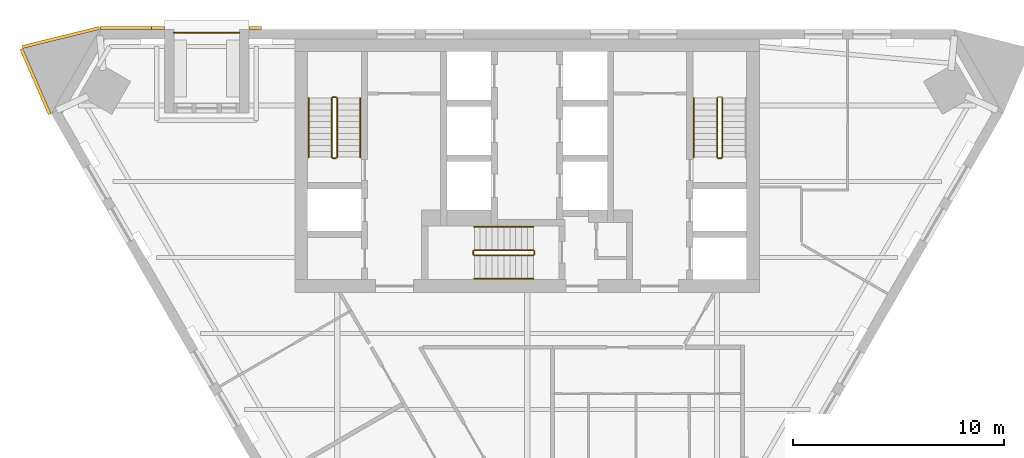
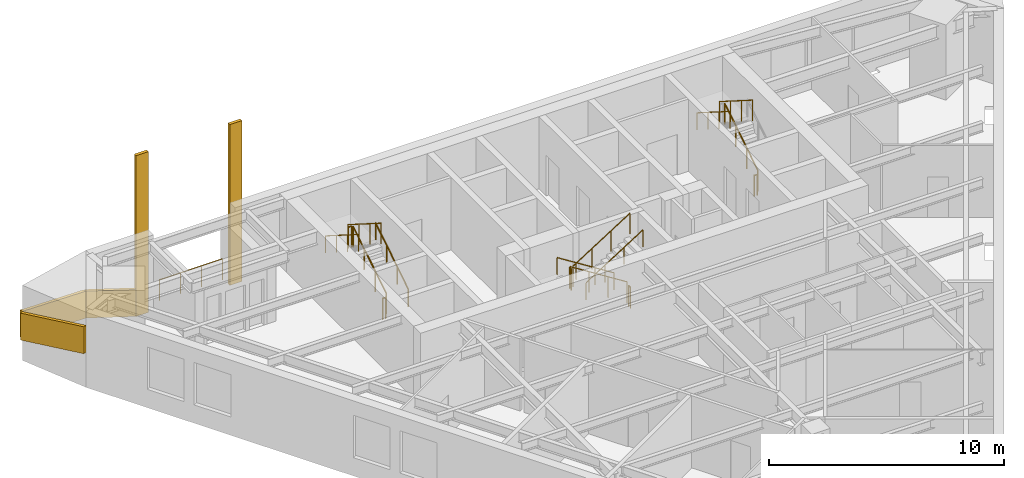
# One storey, part 7 of 8: 17 railings, 5 coverings.
"""IFC4 building model written with IfcOpenShell, lengths in metres."""

from ifc_helpers import new_model, si_unit, direction, frame, origin, origin_2d, place, context, subcontext, project, spatial, polyline, circle, outline, extrude, material, layer, layer_set, type_object, element, save


model = new_model("IFC4")

# Units and contexts
model_context = context("Model", 3, precision=1e-05, world=origin(), true_north=direction((0.0, 1.0)))
body_context = subcontext(model_context, "Body", "Model", "MODEL_VIEW")
ifc_project = project(units=[si_unit("LENGTHUNIT", "METRE"), si_unit("AREAUNIT", "SQUARE_METRE"), si_unit("VOLUMEUNIT", "CUBIC_METRE"), si_unit("PLANEANGLEUNIT", "RADIAN"), si_unit("MASSUNIT", "GRAM", prefix="KILO")], contexts=[model_context])

# Site, building, storey
site_placement = place(None, origin())
site = spatial("IfcSite", under=ifc_project, at=site_placement, CompositionType="ELEMENT")
building_placement = place(site_placement, origin())
building = spatial("IfcBuilding", under=site, at=building_placement, Name="Aloe Facet Convention Tower", CompositionType="ELEMENT")
storey_placement = place(building_placement, frame((0.0, 0.0, 140.300048828125)))
storey = spatial("IfcBuildingStorey", under=building, at=storey_placement, Name="L35", CompositionType="ELEMENT", Elevation=140.300048828125)

# Railings
ifc_material_1 = material(Name="Steel S355 balustrade", Category="steel")
railing_type_1 = type_object("IfcRailingType", Name="CR-RL-GUARD", PredefinedType="GUARDRAIL", material=ifc_material_1)
railing_1_placement = place(storey_placement, frame((71.0, 128.949951171875, 0.17724609375)))
element("IfcRailing", 1, at=railing_1_placement, inside=storey, type_object=railing_type_1, Name="L35 ST1 stair guard 1", PredefinedType="GUARDRAIL", context=body_context, shape_type="SweptSolid", body=[
    extrude(circle(Radius=0.02392578125, at=origin_2d()), frame((0.0, 0.0, 1.076171875), z_axis=(0.0, 0.844908973607, 0.534910110503), x_axis=(-1.0, 0.0, 0.0)), (0.0, 0.0, 1.0), 3.31396484375),
    extrude(circle(Radius=0.02099609375, at=origin_2d()), origin(), (0.0, 0.0, 1.0), 1.052001953125),
    extrude(circle(Radius=0.02099609375, at=origin_2d()), frame((0.0, 0.933349609375, 0.5908203125)), (0.0, 0.0, 1.0), 1.052001953125),
    extrude(circle(Radius=0.02099609375, at=origin_2d()), frame((0.0, 1.86669921875, 1.181884765625)), (0.0, 0.0, 1.0), 1.052001953125),
    extrude(circle(Radius=0.02099609375, at=origin_2d()), frame((0.0, 2.800048828125, 1.772705078125)), (0.0, 0.0, 1.0), 1.052001953125),
])
railing_2_placement = place(storey_placement, frame((70.949951171875, 131.800048828125, 1.949951171875)))
element("IfcRailing", 2, at=railing_2_placement, inside=storey, type_object=railing_type_1, Name="L35 ST1 stair guard 2", PredefinedType="GUARDRAIL", context=body_context, shape_type="SweptSolid", body=[
    extrude(circle(Radius=0.02392578125, at=origin_2d()), frame((0.0, 0.0, 1.076171875), z_axis=(-1.0, 0.0, 0.0), x_axis=(0.0, -1.0, 0.0)), (0.0, 0.0, 1.0), 0.14990234375),
    extrude(circle(Radius=0.02099609375, at=origin_2d()), origin(), (0.0, 0.0, 1.0), 1.052001953125),
    extrude(circle(Radius=0.02099609375, at=origin_2d()), frame((-0.14990234375, 0.0, 0.0)), (0.0, 0.0, 1.0), 1.052001953125),
])
railing_3_placement = place(storey_placement, frame((70.75, 131.75, 2.127197265625)))
element("IfcRailing", 3, at=railing_3_placement, inside=storey, type_object=railing_type_1, Name="L35 ST1 stair guard 3", PredefinedType="GUARDRAIL", context=body_context, shape_type="SweptSolid", body=[
    extrude(circle(Radius=0.02392578125, at=origin_2d()), frame((0.0, 0.0, 1.076171875), z_axis=(0.0, -0.844908973607, 0.534910110503), x_axis=(1.0, 0.0, 0.0)), (0.0, 0.0, 1.0), 3.31396484375),
    extrude(circle(Radius=0.02099609375, at=origin_2d()), origin(), (0.0, 0.0, 1.0), 1.052001953125),
    extrude(circle(Radius=0.02099609375, at=origin_2d()), frame((0.0, -0.933349609375, 0.5908203125)), (0.0, 0.0, 1.0), 1.052001953125),
    extrude(circle(Radius=0.02099609375, at=origin_2d()), frame((0.0, -1.86669921875, 1.181884765625)), (0.0, 0.0, 1.0), 1.052001953125),
    extrude(circle(Radius=0.02099609375, at=origin_2d()), frame((0.0, -2.800048828125, 1.772705078125)), (0.0, 0.0, 1.0), 1.052001953125),
])
railing_4_placement = place(storey_placement, frame((70.949951171875, 128.89990234375, 0.0)))
element("IfcRailing", 4, at=railing_4_placement, inside=storey, type_object=railing_type_1, Name="L35 ST1 stair guard 4", PredefinedType="GUARDRAIL", context=body_context, shape_type="SweptSolid", body=[
    extrude(circle(Radius=0.02392578125, at=origin_2d()), frame((0.0, 0.0, 1.076171875), z_axis=(-1.0, 0.0, 0.0), x_axis=(0.0, -1.0, 0.0)), (0.0, 0.0, 1.0), 0.14990234375),
    extrude(circle(Radius=0.02099609375, at=origin_2d()), origin(), (0.0, 0.0, 1.0), 1.052001953125),
    extrude(circle(Radius=0.02099609375, at=origin_2d()), frame((-0.14990234375, 0.0, 0.0)), (0.0, 0.0, 1.0), 1.052001953125),
])
railing_5_placement = place(storey_placement, frame((89.25, 128.949951171875, 0.17724609375)))
element("IfcRailing", 5, at=railing_5_placement, inside=storey, type_object=railing_type_1, Name="L35 ST2 stair guard 1", PredefinedType="GUARDRAIL", context=body_context, shape_type="SweptSolid", body=[
    extrude(circle(Radius=0.02392578125, at=origin_2d()), frame((0.0, 0.0, 1.076171875), z_axis=(0.0, 0.844908973607, 0.534910110503), x_axis=(-1.0, 0.0, 0.0)), (0.0, 0.0, 1.0), 3.31396484375),
    extrude(circle(Radius=0.02099609375, at=origin_2d()), origin(), (0.0, 0.0, 1.0), 1.052001953125),
    extrude(circle(Radius=0.02099609375, at=origin_2d()), frame((0.0, 0.933349609375, 0.5908203125)), (0.0, 0.0, 1.0), 1.052001953125),
    extrude(circle(Radius=0.02099609375, at=origin_2d()), frame((0.0, 1.86669921875, 1.181884765625)), (0.0, 0.0, 1.0), 1.052001953125),
    extrude(circle(Radius=0.02099609375, at=origin_2d()), frame((0.0, 2.800048828125, 1.772705078125)), (0.0, 0.0, 1.0), 1.052001953125),
])
railing_6_placement = place(storey_placement, frame((89.0, 131.75, 2.127197265625)))
element("IfcRailing", 6, at=railing_6_placement, inside=storey, type_object=railing_type_1, Name="L35 ST2 stair guard 3", PredefinedType="GUARDRAIL", context=body_context, shape_type="SweptSolid", body=[
    extrude(circle(Radius=0.02392578125, at=origin_2d()), frame((0.0, 0.0, 1.076171875), z_axis=(0.0, -0.844908973607, 0.534910110503), x_axis=(1.0, 0.0, 0.0)), (0.0, 0.0, 1.0), 3.31396484375),
    extrude(circle(Radius=0.02099609375, at=origin_2d()), origin(), (0.0, 0.0, 1.0), 1.052001953125),
    extrude(circle(Radius=0.02099609375, at=origin_2d()), frame((0.0, -0.933349609375, 0.5908203125)), (0.0, 0.0, 1.0), 1.052001953125),
    extrude(circle(Radius=0.02099609375, at=origin_2d()), frame((0.0, -1.86669921875, 1.181884765625)), (0.0, 0.0, 1.0), 1.052001953125),
    extrude(circle(Radius=0.02099609375, at=origin_2d()), frame((0.0, -2.800048828125, 1.772705078125)), (0.0, 0.0, 1.0), 1.052001953125),
])
railing_7_placement = place(storey_placement, frame((89.199951171875, 128.89990234375, 0.0)))
element("IfcRailing", 7, at=railing_7_placement, inside=storey, type_object=railing_type_1, Name="L35 ST2 stair guard 4", PredefinedType="GUARDRAIL", context=body_context, shape_type="SweptSolid", body=[
    extrude(circle(Radius=0.02392578125, at=origin_2d()), frame((0.0, 0.0, 1.076171875), z_axis=(-1.0, 0.0, 0.0), x_axis=(0.0, -1.0, 0.0)), (0.0, 0.0, 1.0), 0.14990234375),
    extrude(circle(Radius=0.02099609375, at=origin_2d()), origin(), (0.0, 0.0, 1.0), 1.052001953125),
    extrude(circle(Radius=0.02099609375, at=origin_2d()), frame((-0.14990234375, 0.0, 0.0)), (0.0, 0.0, 1.0), 1.052001953125),
])
railing_8_placement = place(storey_placement, frame((80.300048828125, 124.550048828125, 0.17724609375)))
element("IfcRailing", 8, at=railing_8_placement, inside=storey, type_object=railing_type_1, Name="L35 ST3 stair guard 1", PredefinedType="GUARDRAIL", context=body_context, shape_type="SweptSolid", body=[
    extrude(circle(Radius=0.02392578125, at=origin_2d()), frame((0.0, 0.0, 1.076171875), z_axis=(-0.844908973607, 0.0, 0.534910110503), x_axis=(0.0, -1.0, 0.0)), (0.0, 0.0, 1.0), 3.31396484375),
    extrude(circle(Radius=0.02099609375, at=origin_2d()), origin(), (0.0, 0.0, 1.0), 1.052001953125),
    extrude(circle(Radius=0.02099609375, at=origin_2d()), frame((-0.933349609375, 0.0, 0.5908203125)), (0.0, 0.0, 1.0), 1.052001953125),
    extrude(circle(Radius=0.02099609375, at=origin_2d()), frame((-1.86669921875, 0.0, 1.181884765625)), (0.0, 0.0, 1.0), 1.052001953125),
    extrude(circle(Radius=0.02099609375, at=origin_2d()), frame((-2.800048828125, 0.0, 1.772705078125)), (0.0, 0.0, 1.0), 1.052001953125),
])
railing_9_placement = place(storey_placement, frame((77.449951171875, 124.5, 1.949951171875)))
element("IfcRailing", 9, at=railing_9_placement, inside=storey, type_object=railing_type_1, Name="L35 ST3 stair guard 2", PredefinedType="GUARDRAIL", context=body_context, shape_type="SweptSolid", body=[
    extrude(circle(Radius=0.02392578125, at=origin_2d()), frame((0.0, 0.0, 1.076171875), z_axis=(0.0, -1.0, 0.0), x_axis=(1.0, 0.0, 0.0)), (0.0, 0.0, 1.0), 0.14990234375),
    extrude(circle(Radius=0.02099609375, at=origin_2d()), origin(), (0.0, 0.0, 1.0), 1.052001953125),
    extrude(circle(Radius=0.02099609375, at=origin_2d()), frame((0.0, -0.14990234375, 0.0)), (0.0, 0.0, 1.0), 1.052001953125),
])
railing_10_placement = place(storey_placement, frame((77.5, 124.300048828125, 2.127197265625)))
element("IfcRailing", 10, at=railing_10_placement, inside=storey, type_object=railing_type_1, Name="L35 ST3 stair guard 3", PredefinedType="GUARDRAIL", context=body_context, shape_type="SweptSolid", body=[
    extrude(circle(Radius=0.02392578125, at=origin_2d()), frame((0.0, 0.0, 1.076171875), z_axis=(0.844908973607, 0.0, 0.534910110503), x_axis=(0.0, 1.0, 0.0)), (0.0, 0.0, 1.0), 3.31396484375),
    extrude(circle(Radius=0.02099609375, at=origin_2d()), origin(), (0.0, 0.0, 1.0), 1.052001953125),
    extrude(circle(Radius=0.02099609375, at=origin_2d()), frame((0.933349609375, 0.0, 0.5908203125)), (0.0, 0.0, 1.0), 1.052001953125),
    extrude(circle(Radius=0.02099609375, at=origin_2d()), frame((1.86669921875, 0.0, 1.181884765625)), (0.0, 0.0, 1.0), 1.052001953125),
    extrude(circle(Radius=0.02099609375, at=origin_2d()), frame((2.800048828125, 0.0, 1.772705078125)), (0.0, 0.0, 1.0), 1.052001953125),
])
railing_11_placement = place(storey_placement, frame((80.35009765625, 124.5, 0.0)))
element("IfcRailing", 11, at=railing_11_placement, inside=storey, type_object=railing_type_1, Name="L35 ST3 stair guard 4", PredefinedType="GUARDRAIL", context=body_context, shape_type="SweptSolid", body=[
    extrude(circle(Radius=0.02392578125, at=origin_2d()), frame((0.0, 0.0, 1.076171875), z_axis=(0.0, -1.0, 0.0), x_axis=(1.0, 0.0, 0.0)), (0.0, 0.0, 1.0), 0.14990234375),
    extrude(circle(Radius=0.02099609375, at=origin_2d()), origin(), (0.0, 0.0, 1.0), 1.052001953125),
    extrude(circle(Radius=0.02099609375, at=origin_2d()), frame((0.0, -0.14990234375, 0.0)), (0.0, 0.0, 1.0), 1.052001953125),
])
ifc_material_2 = material(Name="Steel S355 handrail", Category="steel")
railing_type_2 = type_object("IfcRailingType", Name="CR-RL-HAND", PredefinedType="HANDRAIL", material=ifc_material_2)
railing_12_placement = place(storey_placement, frame((72.10009765625, 128.949951171875, 0.17724609375)))
element("IfcRailing", 12, at=railing_12_placement, inside=storey, type_object=railing_type_2, Name="L35 ST1 stair handrail 1", PredefinedType="HANDRAIL", context=body_context, shape_type="SweptSolid", body=[
    extrude(circle(Radius=0.02392578125, at=origin_2d()), frame((0.0, 0.0, 0.8759765625), z_axis=(0.0, 0.844908973607, 0.534910110503), x_axis=(-1.0, 0.0, 0.0)), (0.0, 0.0, 1.0), 3.31396484375),
    extrude(circle(Radius=0.02099609375, at=origin_2d()), origin(), (0.0, 0.0, 1.0), 0.851806640625),
    extrude(circle(Radius=0.02099609375, at=origin_2d()), frame((0.0, 0.933349609375, 0.5908203125)), (0.0, 0.0, 1.0), 0.851806640625),
    extrude(circle(Radius=0.02099609375, at=origin_2d()), frame((0.0, 1.86669921875, 1.181884765625)), (0.0, 0.0, 1.0), 0.851806640625),
    extrude(circle(Radius=0.02099609375, at=origin_2d()), frame((0.0, 2.800048828125, 1.772705078125)), (0.0, 0.0, 1.0), 0.851806640625),
])
for number, where, name in (
    (13, (69.64990234375, 131.75, 2.127197265625), "L35 ST1 stair handrail 2"),
    (14, (87.89990234375, 131.75, 2.127197265625), "L35 ST2 stair handrail 2"),
):
    element("IfcRailing", number, at=place(storey_placement, frame(where)), inside=storey, type_object=railing_type_2, Name=name, PredefinedType="HANDRAIL", context=body_context, shape_type="SweptSolid", body=[
        extrude(circle(Radius=0.02392578125, at=origin_2d()), frame((0.0, 0.0, 0.8759765625), z_axis=(0.0, -0.844908973607, 0.534910110503), x_axis=(1.0, 0.0, 0.0)), (0.0, 0.0, 1.0), 3.31396484375),
        extrude(circle(Radius=0.02099609375, at=origin_2d()), origin(), (0.0, 0.0, 1.0), 0.851806640625),
        extrude(circle(Radius=0.02099609375, at=origin_2d()), frame((0.0, -0.933349609375, 0.5908203125)), (0.0, 0.0, 1.0), 0.851806640625),
        extrude(circle(Radius=0.02099609375, at=origin_2d()), frame((0.0, -1.86669921875, 1.181884765625)), (0.0, 0.0, 1.0), 0.851806640625),
        extrude(circle(Radius=0.02099609375, at=origin_2d()), frame((0.0, -2.800048828125, 1.772705078125)), (0.0, 0.0, 1.0), 0.851806640625),
    ])
railing_13_placement = place(storey_placement, frame((80.300048828125, 125.64990234375, 0.17724609375)))
element("IfcRailing", 15, at=railing_13_placement, inside=storey, type_object=railing_type_2, Name="L35 ST3 stair handrail 1", PredefinedType="HANDRAIL", context=body_context, shape_type="SweptSolid", body=[
    extrude(circle(Radius=0.02392578125, at=origin_2d()), frame((0.0, 0.0, 0.8759765625), z_axis=(-0.844908973607, 0.0, 0.534910110503), x_axis=(0.0, -1.0, 0.0)), (0.0, 0.0, 1.0), 3.31396484375),
    extrude(circle(Radius=0.02099609375, at=origin_2d()), origin(), (0.0, 0.0, 1.0), 0.851806640625),
    extrude(circle(Radius=0.02099609375, at=origin_2d()), frame((-0.933349609375, 0.0, 0.5908203125)), (0.0, 0.0, 1.0), 0.851806640625),
    extrude(circle(Radius=0.02099609375, at=origin_2d()), frame((-1.86669921875, 0.0, 1.181884765625)), (0.0, 0.0, 1.0), 0.851806640625),
    extrude(circle(Radius=0.02099609375, at=origin_2d()), frame((-2.800048828125, 0.0, 1.772705078125)), (0.0, 0.0, 1.0), 0.851806640625),
])
railing_14_placement = place(storey_placement, frame((77.5, 123.199951171875, 2.127197265625)))
element("IfcRailing", 16, at=railing_14_placement, inside=storey, type_object=railing_type_2, Name="L35 ST3 stair handrail 2", PredefinedType="HANDRAIL", context=body_context, shape_type="SweptSolid", body=[
    extrude(circle(Radius=0.02392578125, at=origin_2d()), frame((0.0, 0.0, 0.8759765625), z_axis=(0.844908973607, 0.0, 0.534910110503), x_axis=(0.0, 1.0, 0.0)), (0.0, 0.0, 1.0), 3.31396484375),
    extrude(circle(Radius=0.02099609375, at=origin_2d()), origin(), (0.0, 0.0, 1.0), 0.851806640625),
    extrude(circle(Radius=0.02099609375, at=origin_2d()), frame((0.933349609375, 0.0, 0.5908203125)), (0.0, 0.0, 1.0), 0.851806640625),
    extrude(circle(Radius=0.02099609375, at=origin_2d()), frame((1.86669921875, 0.0, 1.181884765625)), (0.0, 0.0, 1.0), 0.851806640625),
    extrude(circle(Radius=0.02099609375, at=origin_2d()), frame((2.800048828125, 0.0, 1.772705078125)), (0.0, 0.0, 1.0), 0.851806640625),
])

# Coverings
ifc_material_3 = material(Name="Bronze oxide fascia sheet")
ifc_layer = layer(ifc_material_3, 0.14990234375)
ifc_layer_set = layer_set([ifc_layer], Name="EV-FASCIA-TERR")
covering_type = type_object("IfcCoveringType", Name="EV-FASCIA-TERR", PredefinedType="CLADDING", material=ifc_layer_set)
covering_1_placement = place(storey_placement, frame((0.0, 0.0, -0.550048828125)))
element("IfcCovering", 17, at=covering_1_placement, inside=storey, type_object=covering_type, Name="Terrace frame T07 1", PredefinedType="CLADDING", context=body_context, shape_type="SweptSolid", body=[
    extrude(outline(polyline([(67.417724609375, 135.14990234375), (66.817626953125, 135.14990234375), (66.817626953125, 135.0), (67.417724609375, 135.0), (67.417724609375, 135.14990234375)])), origin(), (0.0, 0.0, 1.0), 8.35009765625),
])
covering_2_placement = place(storey_placement, frame((0.0, 0.0, -0.550048828125)))
element("IfcCovering", 18, at=covering_2_placement, inside=storey, type_object=covering_type, Name="Terrace frame T07 2", PredefinedType="CLADDING", context=body_context, shape_type="SweptSolid", body=[
    extrude(outline(polyline([(62.817626953125, 135.14990234375), (62.2177734375, 135.14990234375), (62.2177734375, 135.0), (62.817626953125, 135.0), (62.817626953125, 135.14990234375)])), origin(), (0.0, 0.0, 1.0), 8.35009765625),
])
covering_3_placement = place(storey_placement, frame((62.2177734375, 135.14990234375, -0.550048828125), z_axis=(0.0, 1.0, 0.0), x_axis=(-0.953614115357, 0.0, 0.301031757447)))
element("IfcCovering", 19, at=covering_3_placement, inside=storey, type_object=covering_type, Name="Spiral ribbon zone 3 part 2", PredefinedType="CLADDING", context=body_context, shape_type="SweptSolid", body=[
    extrude(outline(polyline([(0.0, 0.0), (2.580642904051824, 0.0), (3.0021314609265497, 1.3351994510676422), (0.421415062793318, 1.3349666351215101), (0.0, 0.0)])), origin(), (0.0, 0.0, -1.0), 0.14990234375),
])
covering_4_placement = place(storey_placement, frame((59.720947265625, 135.145751953125, 0.226806640625), z_axis=(-0.239624287843, 0.970865696518, 0.0), x_axis=(-0.951246134787, -0.23478188428, 0.200020643603)))
element("IfcCovering", 20, at=covering_4_placement, inside=storey, type_object=covering_type, Name="Spiral ribbon zone 3 part 3 over the corner spine", PredefinedType="CLADDING", context=body_context, shape_type="SweptSolid", body=[
    extrude(outline(polyline([(0.0, 0.0), (3.8277299093217887, 1.1102230246251565e-16), (4.10778811026459, 1.37185188041288), (0.28005820094280065, 1.3718518804128799), (0.0, 0.0)])), origin(), (0.0, 0.0, -1.0), 0.14990234375),
])
covering_5_placement = place(storey_placement, frame((55.97802734375, 134.041748046875, 0.992431640625), z_axis=(-0.917079286019, -0.398704882281, 0.0), x_axis=(0.390648031402, -0.898547355811, 0.200016911601)))
element("IfcCovering", 21, at=covering_5_placement, inside=storey, type_object=covering_type, Name="Spiral ribbon zone 3 part 4 over the corner spine", PredefinedType="CLADDING", context=body_context, shape_type="SweptSolid", body=[
    extrude(outline(polyline([(0.0, 0.0), (3.433547556699859, 1.1102230246251565e-16), (3.7136005322930283, 1.371852947137223), (0.28005297559316944, 1.371852947137223), (0.0, 0.0)])), origin(), (0.0, 0.0, -1.0), 0.14990234375),
])

# Railing
ifc_material_4 = material(Name="Steel S355, bronze oxide finish", Category="steel")
railing_type_3 = type_object("IfcRailingType", Name="EV-GUARD-TERR", PredefinedType="GUARDRAIL", material=ifc_material_4)
railing_15_placement = place(storey_placement, frame((66.36767578125, 134.85009765625, 0.0)))
element("IfcRailing", 22, at=railing_15_placement, inside=storey, type_object=railing_type_3, Name="GUARD T07", PredefinedType="GUARDRAIL", context=body_context, shape_type="SweptSolid", body=[
    extrude(circle(Radius=0.02392578125, at=origin_2d()), frame((0.0, 0.0, 1.076171875), z_axis=(-1.0, 0.0, 0.0), x_axis=(0.0, -1.0, 0.0)), (0.0, 0.0, 1.0), 3.10009765625),
    extrude(circle(Radius=0.02099609375, at=origin_2d()), origin(), (0.0, 0.0, 1.0), 1.052001953125),
    extrude(circle(Radius=0.02099609375, at=origin_2d()), frame((-1.033447265625, 0.0, 0.0)), (0.0, 0.0, 1.0), 1.052001953125),
    extrude(circle(Radius=0.02099609375, at=origin_2d()), frame((-2.066650390625, 0.0, 0.0)), (0.0, 0.0, 1.0), 1.052001953125),
    extrude(circle(Radius=0.02099609375, at=origin_2d()), frame((-3.10009765625, 0.0, 0.0)), (0.0, 0.0, 1.0), 1.052001953125),
])

save(model, "model.ifc")
